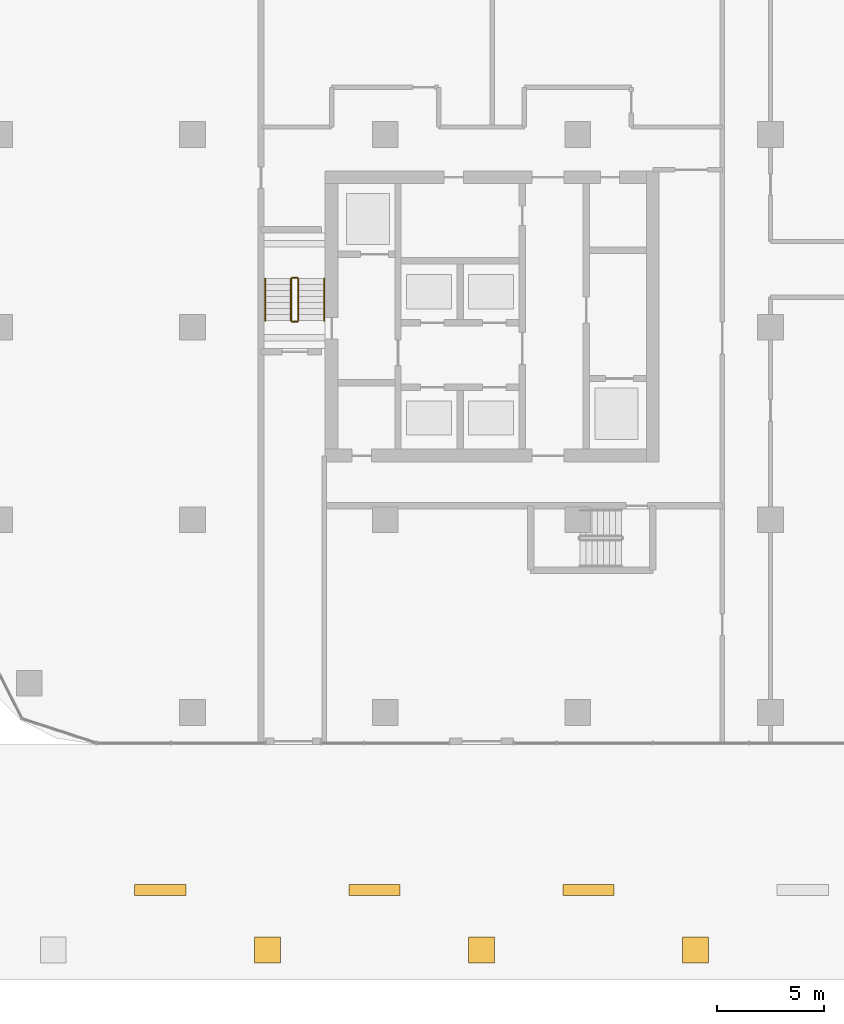
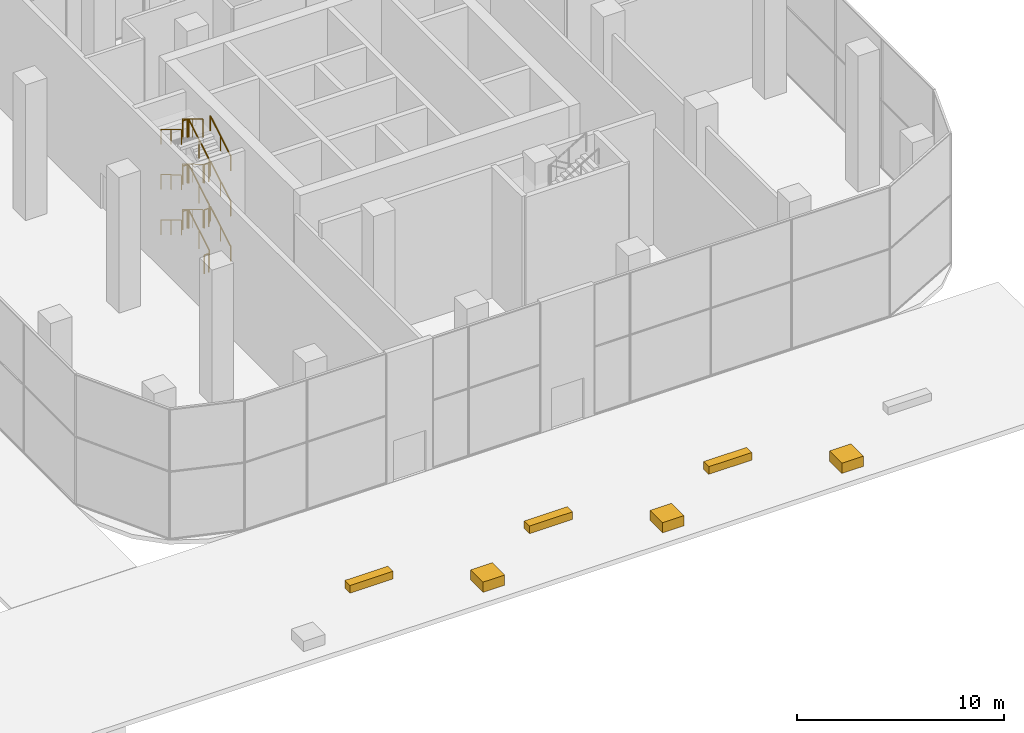
# One storey, part 49 of 54: 18 railings, 6 coverings.
"""IFC4 building model written with IfcOpenShell, lengths in metres."""

from ifc_helpers import new_model, si_unit, direction, frame, origin, origin_2d, place, context, subcontext, project, spatial, rectangle, circle, extrude, material, layer, layer_set, type_object, element, save


model = new_model("IFC4")

# Units and contexts
model_context = context("Model", 3, precision=1e-05, world=origin(), true_north=direction((0.0, 1.0)))
body_context = subcontext(model_context, "Body", "Model", "MODEL_VIEW")
ifc_project = project(units=[si_unit("LENGTHUNIT", "METRE"), si_unit("AREAUNIT", "SQUARE_METRE"), si_unit("VOLUMEUNIT", "CUBIC_METRE"), si_unit("PLANEANGLEUNIT", "RADIAN"), si_unit("MASSUNIT", "GRAM", prefix="KILO")], contexts=[model_context])

# Site, building, storey
site_placement = place(None, origin())
site = spatial("IfcSite", under=ifc_project, at=site_placement, CompositionType="ELEMENT")
building_placement = place(site_placement, origin())
building = spatial("IfcBuilding", under=site, at=building_placement, Name="Ogive Portal Towers", CompositionType="ELEMENT")
storey_placement = place(building_placement, origin())
storey = spatial("IfcBuildingStorey", under=building, at=storey_placement, Name="L00", CompositionType="ELEMENT", Elevation=0.0)

# Railings
ifc_material_1 = material(Name="Stainless steel balustrade", Category="steel")
railing_type_1 = type_object("IfcRailingType", Name="INT-GUARD", PredefinedType="GUARDRAIL", material=ifc_material_1)
railing_1_placement = place(storey_placement, frame((127.449951171875, 30.800048828125, 0.166748046875)))
element("IfcRailing", 1, at=railing_1_placement, inside=storey, type_object=railing_type_1, Name="L00 ST-B1 stair guard 1", PredefinedType="GUARDRAIL", context=body_context, shape_type="SweptSolid", body=[
    extrude(circle(Radius=0.02392578125, at=origin_2d()), frame((0.0, 0.0, 1.076171875), z_axis=(0.0, 0.85931976652, 0.511438695121), x_axis=(-1.0, 0.0, 0.0)), (0.0, 0.0, 1.0), 2.28076171875),
    extrude(circle(Radius=0.02099609375, at=origin_2d()), origin(), (0.0, 0.0, 1.0), 1.052001953125),
    extrude(circle(Radius=0.02099609375, at=origin_2d()), frame((0.0, 0.97998046875, 0.583251953125)), (0.0, 0.0, 1.0), 1.052001953125),
    extrude(circle(Radius=0.02099609375, at=origin_2d()), frame((0.0, 1.9599609375, 1.16650390625)), (0.0, 0.0, 1.0), 1.052001953125),
])
railing_2_placement = place(storey_placement, frame((127.39990234375, 32.81005859375, 1.333251953125)))
element("IfcRailing", 2, at=railing_2_placement, inside=storey, type_object=railing_type_1, Name="L00 ST-B1 stair guard 2", PredefinedType="GUARDRAIL", context=body_context, shape_type="SweptSolid", body=[
    extrude(circle(Radius=0.02392578125, at=origin_2d()), frame((0.0, 0.0, 1.076171875), z_axis=(-1.0, 0.0, 0.0), x_axis=(0.0, -1.0, 0.0)), (0.0, 0.0, 1.0), 0.25),
    extrude(circle(Radius=0.02099609375, at=origin_2d()), origin(), (0.0, 0.0, 1.0), 1.052001953125),
    extrude(circle(Radius=0.02099609375, at=origin_2d()), frame((-0.25, 0.0, 0.0)), (0.0, 0.0, 1.0), 1.052001953125),
])
railing_3_placement = place(storey_placement, frame((127.10009765625, 32.760009765625, 1.5)))
element("IfcRailing", 3, at=railing_3_placement, inside=storey, type_object=railing_type_1, Name="L00 ST-B1 stair guard 3", PredefinedType="GUARDRAIL", context=body_context, shape_type="SweptSolid", body=[
    extrude(circle(Radius=0.02392578125, at=origin_2d()), frame((0.0, 0.0, 1.076171875), z_axis=(0.0, -0.859272722373, 0.511517730471), x_axis=(1.0, 0.0, 0.0)), (0.0, 0.0, 1.0), 2.281005859375),
    extrude(circle(Radius=0.02099609375, at=origin_2d()), origin(), (0.0, 0.0, 1.0), 1.052001953125),
    extrude(circle(Radius=0.02099609375, at=origin_2d()), frame((0.0, -0.97998046875, 0.58349609375)), (0.0, 0.0, 1.0), 1.052001953125),
    extrude(circle(Radius=0.02099609375, at=origin_2d()), frame((0.0, -1.9599609375, 1.166748046875)), (0.0, 0.0, 1.0), 1.052001953125),
])
railing_4_placement = place(storey_placement, frame((127.39990234375, 30.75, 2.666748046875)))
element("IfcRailing", 4, at=railing_4_placement, inside=storey, type_object=railing_type_1, Name="L00 ST-B1 stair guard 4", PredefinedType="GUARDRAIL", context=body_context, shape_type="SweptSolid", body=[
    extrude(circle(Radius=0.02392578125, at=origin_2d()), frame((0.0, 0.0, 1.076171875), z_axis=(-1.0, 0.0, 0.0), x_axis=(0.0, -1.0, 0.0)), (0.0, 0.0, 1.0), 0.25),
    extrude(circle(Radius=0.02099609375, at=origin_2d()), origin(), (0.0, 0.0, 1.0), 1.052001953125),
    extrude(circle(Radius=0.02099609375, at=origin_2d()), frame((-0.25, 0.0, 0.0)), (0.0, 0.0, 1.0), 1.052001953125),
])
railing_5_placement = place(storey_placement, frame((127.449951171875, 30.800048828125, 2.833251953125)))
element("IfcRailing", 5, at=railing_5_placement, inside=storey, type_object=railing_type_1, Name="L00 ST-B1 stair guard 5", PredefinedType="GUARDRAIL", context=body_context, shape_type="SweptSolid", body=[
    extrude(circle(Radius=0.02392578125, at=origin_2d()), frame((0.0, 0.0, 1.076171875), z_axis=(0.0, 0.859272722373, 0.511517730471), x_axis=(-1.0, 0.0, 0.0)), (0.0, 0.0, 1.0), 2.281005859375),
    extrude(circle(Radius=0.02099609375, at=origin_2d()), origin(), (0.0, 0.0, 1.0), 1.052001953125),
    extrude(circle(Radius=0.02099609375, at=origin_2d()), frame((0.0, 0.97998046875, 0.58349609375)), (0.0, 0.0, 1.0), 1.052001953125),
    extrude(circle(Radius=0.02099609375, at=origin_2d()), frame((0.0, 1.9599609375, 1.166748046875)), (0.0, 0.0, 1.0), 1.052001953125),
])
railing_6_placement = place(storey_placement, frame((127.39990234375, 32.81005859375, 4.0)))
element("IfcRailing", 6, at=railing_6_placement, inside=storey, type_object=railing_type_1, Name="L00 ST-B1 stair guard 6", PredefinedType="GUARDRAIL", context=body_context, shape_type="SweptSolid", body=[
    extrude(circle(Radius=0.02392578125, at=origin_2d()), frame((0.0, 0.0, 1.076171875), z_axis=(-1.0, 0.0, 0.0), x_axis=(0.0, -1.0, 0.0)), (0.0, 0.0, 1.0), 0.25),
    extrude(circle(Radius=0.02099609375, at=origin_2d()), origin(), (0.0, 0.0, 1.0), 1.052001953125),
    extrude(circle(Radius=0.02099609375, at=origin_2d()), frame((-0.25, 0.0, 0.0)), (0.0, 0.0, 1.0), 1.052001953125),
])
railing_7_placement = place(storey_placement, frame((127.10009765625, 32.760009765625, 4.166748046875)))
element("IfcRailing", 7, at=railing_7_placement, inside=storey, type_object=railing_type_1, Name="L00 ST-B1 stair guard 7", PredefinedType="GUARDRAIL", context=body_context, shape_type="SweptSolid", body=[
    extrude(circle(Radius=0.02392578125, at=origin_2d()), frame((0.0, 0.0, 1.076171875), z_axis=(0.0, -0.85931976652, 0.511438695121), x_axis=(1.0, 0.0, 0.0)), (0.0, 0.0, 1.0), 2.28076171875),
    extrude(circle(Radius=0.02099609375, at=origin_2d()), origin(), (0.0, 0.0, 1.0), 1.052001953125),
    extrude(circle(Radius=0.02099609375, at=origin_2d()), frame((0.0, -0.97998046875, 0.583251953125)), (0.0, 0.0, 1.0), 1.052001953125),
    extrude(circle(Radius=0.02099609375, at=origin_2d()), frame((0.0, -1.9599609375, 1.16650390625)), (0.0, 0.0, 1.0), 1.052001953125),
])
railing_8_placement = place(storey_placement, frame((127.39990234375, 30.75, 5.333251953125)))
element("IfcRailing", 8, at=railing_8_placement, inside=storey, type_object=railing_type_1, Name="L00 ST-B1 stair guard 8", PredefinedType="GUARDRAIL", context=body_context, shape_type="SweptSolid", body=[
    extrude(circle(Radius=0.02392578125, at=origin_2d()), frame((0.0, 0.0, 1.076171875), z_axis=(-1.0, 0.0, 0.0), x_axis=(0.0, -1.0, 0.0)), (0.0, 0.0, 1.0), 0.25),
    extrude(circle(Radius=0.02099609375, at=origin_2d()), origin(), (0.0, 0.0, 1.0), 1.052001953125),
    extrude(circle(Radius=0.02099609375, at=origin_2d()), frame((-0.25, 0.0, 0.0)), (0.0, 0.0, 1.0), 1.052001953125),
])
railing_9_placement = place(storey_placement, frame((127.449951171875, 30.800048828125, 5.5)))
element("IfcRailing", 9, at=railing_9_placement, inside=storey, type_object=railing_type_1, Name="L00 ST-B1 stair guard 9", PredefinedType="GUARDRAIL", context=body_context, shape_type="SweptSolid", body=[
    extrude(circle(Radius=0.02392578125, at=origin_2d()), frame((0.0, 0.0, 1.076171875), z_axis=(0.0, 0.859272722373, 0.511517730471), x_axis=(-1.0, 0.0, 0.0)), (0.0, 0.0, 1.0), 2.281005859375),
    extrude(circle(Radius=0.02099609375, at=origin_2d()), origin(), (0.0, 0.0, 1.0), 1.052001953125),
    extrude(circle(Radius=0.02099609375, at=origin_2d()), frame((0.0, 0.97998046875, 0.58349609375)), (0.0, 0.0, 1.0), 1.052001953125),
    extrude(circle(Radius=0.02099609375, at=origin_2d()), frame((0.0, 1.9599609375, 1.166748046875)), (0.0, 0.0, 1.0), 1.052001953125),
])
railing_10_placement = place(storey_placement, frame((127.39990234375, 32.81005859375, 6.666748046875)))
element("IfcRailing", 10, at=railing_10_placement, inside=storey, type_object=railing_type_1, Name="L00 ST-B1 stair guard 10", PredefinedType="GUARDRAIL", context=body_context, shape_type="SweptSolid", body=[
    extrude(circle(Radius=0.02392578125, at=origin_2d()), frame((0.0, 0.0, 1.076171875), z_axis=(-1.0, 0.0, 0.0), x_axis=(0.0, -1.0, 0.0)), (0.0, 0.0, 1.0), 0.25),
    extrude(circle(Radius=0.02099609375, at=origin_2d()), origin(), (0.0, 0.0, 1.0), 1.052001953125),
    extrude(circle(Radius=0.02099609375, at=origin_2d()), frame((-0.25, 0.0, 0.0)), (0.0, 0.0, 1.0), 1.052001953125),
])
railing_11_placement = place(storey_placement, frame((127.10009765625, 32.760009765625, 6.833251953125)))
element("IfcRailing", 11, at=railing_11_placement, inside=storey, type_object=railing_type_1, Name="L00 ST-B1 stair guard 11", PredefinedType="GUARDRAIL", context=body_context, shape_type="SweptSolid", body=[
    extrude(circle(Radius=0.02392578125, at=origin_2d()), frame((0.0, 0.0, 1.076171875), z_axis=(0.0, -0.859272722373, 0.511517730471), x_axis=(1.0, 0.0, 0.0)), (0.0, 0.0, 1.0), 2.281005859375),
    extrude(circle(Radius=0.02099609375, at=origin_2d()), origin(), (0.0, 0.0, 1.0), 1.052001953125),
    extrude(circle(Radius=0.02099609375, at=origin_2d()), frame((0.0, -0.97998046875, 0.58349609375)), (0.0, 0.0, 1.0), 1.052001953125),
    extrude(circle(Radius=0.02099609375, at=origin_2d()), frame((0.0, -1.9599609375, 1.166748046875)), (0.0, 0.0, 1.0), 1.052001953125),
])
railing_12_placement = place(storey_placement, frame((127.39990234375, 30.75, 0.0)))
element("IfcRailing", 12, at=railing_12_placement, inside=storey, type_object=railing_type_1, Name="L00 ST-B1 stair guard 12", PredefinedType="GUARDRAIL", context=body_context, shape_type="SweptSolid", body=[
    extrude(circle(Radius=0.02392578125, at=origin_2d()), frame((0.0, 0.0, 1.076171875), z_axis=(-1.0, 0.0, 0.0), x_axis=(0.0, -1.0, 0.0)), (0.0, 0.0, 1.0), 0.25),
    extrude(circle(Radius=0.02099609375, at=origin_2d()), origin(), (0.0, 0.0, 1.0), 1.052001953125),
    extrude(circle(Radius=0.02099609375, at=origin_2d()), frame((-0.25, 0.0, 0.0)), (0.0, 0.0, 1.0), 1.052001953125),
])
ifc_material_2 = material(Name="Stainless steel handrail", Category="steel")
railing_type_2 = type_object("IfcRailingType", Name="INT-HANDRAIL", PredefinedType="HANDRAIL", material=ifc_material_2)
railing_13_placement = place(storey_placement, frame((128.64990234375, 30.800048828125, 0.166748046875)))
element("IfcRailing", 13, at=railing_13_placement, inside=storey, type_object=railing_type_2, Name="L00 ST-B1 stair handrail 1", PredefinedType="HANDRAIL", context=body_context, shape_type="SweptSolid", body=[
    extrude(circle(Radius=0.02392578125, at=origin_2d()), frame((0.0, 0.0, 0.8759765625), z_axis=(0.0, 0.85931976652, 0.511438695121), x_axis=(-1.0, 0.0, 0.0)), (0.0, 0.0, 1.0), 2.28076171875),
    extrude(circle(Radius=0.02099609375, at=origin_2d()), origin(), (0.0, 0.0, 1.0), 0.851806640625),
    extrude(circle(Radius=0.02099609375, at=origin_2d()), frame((0.0, 0.97998046875, 0.583251953125)), (0.0, 0.0, 1.0), 0.851806640625),
    extrude(circle(Radius=0.02099609375, at=origin_2d()), frame((0.0, 1.9599609375, 1.16650390625)), (0.0, 0.0, 1.0), 0.851806640625),
])
railing_14_placement = place(storey_placement, frame((125.89990234375, 32.760009765625, 1.5)))
element("IfcRailing", 14, at=railing_14_placement, inside=storey, type_object=railing_type_2, Name="L00 ST-B1 stair handrail 2", PredefinedType="HANDRAIL", context=body_context, shape_type="SweptSolid", body=[
    extrude(circle(Radius=0.02392578125, at=origin_2d()), frame((0.0, 0.0, 0.8759765625), z_axis=(0.0, -0.859272722373, 0.511517730471), x_axis=(1.0, 0.0, 0.0)), (0.0, 0.0, 1.0), 2.281005859375),
    extrude(circle(Radius=0.02099609375, at=origin_2d()), origin(), (0.0, 0.0, 1.0), 0.851806640625),
    extrude(circle(Radius=0.02099609375, at=origin_2d()), frame((0.0, -0.97998046875, 0.58349609375)), (0.0, 0.0, 1.0), 0.851806640625),
    extrude(circle(Radius=0.02099609375, at=origin_2d()), frame((0.0, -1.9599609375, 1.166748046875)), (0.0, 0.0, 1.0), 0.851806640625),
])
railing_15_placement = place(storey_placement, frame((128.64990234375, 30.800048828125, 2.833251953125)))
element("IfcRailing", 15, at=railing_15_placement, inside=storey, type_object=railing_type_2, Name="L00 ST-B1 stair handrail 3", PredefinedType="HANDRAIL", context=body_context, shape_type="SweptSolid", body=[
    extrude(circle(Radius=0.02392578125, at=origin_2d()), frame((0.0, 0.0, 0.8759765625), z_axis=(0.0, 0.859272722373, 0.511517730471), x_axis=(-1.0, 0.0, 0.0)), (0.0, 0.0, 1.0), 2.281005859375),
    extrude(circle(Radius=0.02099609375, at=origin_2d()), origin(), (0.0, 0.0, 1.0), 0.851806640625),
    extrude(circle(Radius=0.02099609375, at=origin_2d()), frame((0.0, 0.97998046875, 0.58349609375)), (0.0, 0.0, 1.0), 0.851806640625),
    extrude(circle(Radius=0.02099609375, at=origin_2d()), frame((0.0, 1.9599609375, 1.166748046875)), (0.0, 0.0, 1.0), 0.851806640625),
])
railing_16_placement = place(storey_placement, frame((125.89990234375, 32.760009765625, 4.166748046875)))
element("IfcRailing", 16, at=railing_16_placement, inside=storey, type_object=railing_type_2, Name="L00 ST-B1 stair handrail 4", PredefinedType="HANDRAIL", context=body_context, shape_type="SweptSolid", body=[
    extrude(circle(Radius=0.02392578125, at=origin_2d()), frame((0.0, 0.0, 0.8759765625), z_axis=(0.0, -0.85931976652, 0.511438695121), x_axis=(1.0, 0.0, 0.0)), (0.0, 0.0, 1.0), 2.28076171875),
    extrude(circle(Radius=0.02099609375, at=origin_2d()), origin(), (0.0, 0.0, 1.0), 0.851806640625),
    extrude(circle(Radius=0.02099609375, at=origin_2d()), frame((0.0, -0.97998046875, 0.583251953125)), (0.0, 0.0, 1.0), 0.851806640625),
    extrude(circle(Radius=0.02099609375, at=origin_2d()), frame((0.0, -1.9599609375, 1.16650390625)), (0.0, 0.0, 1.0), 0.851806640625),
])
railing_17_placement = place(storey_placement, frame((128.64990234375, 30.800048828125, 5.5)))
element("IfcRailing", 17, at=railing_17_placement, inside=storey, type_object=railing_type_2, Name="L00 ST-B1 stair handrail 5", PredefinedType="HANDRAIL", context=body_context, shape_type="SweptSolid", body=[
    extrude(circle(Radius=0.02392578125, at=origin_2d()), frame((0.0, 0.0, 0.8759765625), z_axis=(0.0, 0.859272722373, 0.511517730471), x_axis=(-1.0, 0.0, 0.0)), (0.0, 0.0, 1.0), 2.281005859375),
    extrude(circle(Radius=0.02099609375, at=origin_2d()), origin(), (0.0, 0.0, 1.0), 0.851806640625),
    extrude(circle(Radius=0.02099609375, at=origin_2d()), frame((0.0, 0.97998046875, 0.58349609375)), (0.0, 0.0, 1.0), 0.851806640625),
    extrude(circle(Radius=0.02099609375, at=origin_2d()), frame((0.0, 1.9599609375, 1.166748046875)), (0.0, 0.0, 1.0), 0.851806640625),
])
railing_18_placement = place(storey_placement, frame((125.89990234375, 32.760009765625, 6.833251953125)))
element("IfcRailing", 18, at=railing_18_placement, inside=storey, type_object=railing_type_2, Name="L00 ST-B1 stair handrail 6", PredefinedType="HANDRAIL", context=body_context, shape_type="SweptSolid", body=[
    extrude(circle(Radius=0.02392578125, at=origin_2d()), frame((0.0, 0.0, 0.8759765625), z_axis=(0.0, -0.859272722373, 0.511517730471), x_axis=(1.0, 0.0, 0.0)), (0.0, 0.0, 1.0), 2.281005859375),
    extrude(circle(Radius=0.02099609375, at=origin_2d()), origin(), (0.0, 0.0, 1.0), 0.851806640625),
    extrude(circle(Radius=0.02099609375, at=origin_2d()), frame((0.0, -0.97998046875, 0.58349609375)), (0.0, 0.0, 1.0), 0.851806640625),
    extrude(circle(Radius=0.02099609375, at=origin_2d()), frame((0.0, -1.9599609375, 1.166748046875)), (0.0, 0.0, 1.0), 0.851806640625),
])

# Coverings
ifc_material_3 = material(Name="Limestone cladding on lightweight block wall", Category="masonry")
ifc_layer_1 = layer(ifc_material_3, 0.449951171875)
ifc_layer_set_1 = layer_set([ifc_layer_1], Name="PLAZA BENCH STONE")
covering_type_1 = type_object("IfcCoveringType", Name="PLAZA BENCH STONE", PredefinedType="CLADDING", material=ifc_layer_set_1)
for number, where, z_axis, x_axis, name in (
    (19, (121.0, 4.199951171875, -0.02001953125), (0.0, 0.0, 1.0), (1.0, 0.0, 0.0), "PLAZA BENCH"),
    (20, (131.0, 4.199951171875, -0.02001953125), (0.0, 0.0, 1.0), (1.0, 0.0, 0.0), "PLAZA BENCH"),
    (21, (141.0, 4.199951171875, -0.02001953125), (0.0, 0.0, 1.0), (1.0, 0.0, 0.0), "PLAZA BENCH"),
):
    element("IfcCovering", number, at=place(storey_placement, frame(where, z_axis=z_axis, x_axis=x_axis)), inside=storey, type_object=covering_type_1, Name=name, PredefinedType="CLADDING", context=body_context, shape_type="SweptSolid", body=[
        extrude(rectangle(XDim=2.39990234375, YDim=0.5, at=origin_2d()), origin(), (0.0, 0.0, 1.0), 0.449951171875),
    ])
ifc_layer_2 = layer(ifc_material_3, 0.60009765625)
ifc_layer_set_2 = layer_set([ifc_layer_2], Name="PLAZA PLANTER STONE")
covering_type_2 = type_object("IfcCoveringType", Name="PLAZA PLANTER STONE", PredefinedType="CLADDING", material=ifc_layer_set_2)
for number, where, z_axis, x_axis, name in (
    (22, (126.0, 1.39990234375, -0.02001953125), (0.0, 0.0, 1.0), (1.0, 0.0, 0.0), "PLAZA PLANTER"),
    (23, (136.0, 1.39990234375, -0.02001953125), (0.0, 0.0, 1.0), (1.0, 0.0, 0.0), "PLAZA PLANTER"),
    (24, (146.0, 1.39990234375, -0.02001953125), (0.0, 0.0, 1.0), (1.0, 0.0, 0.0), "PLAZA PLANTER"),
):
    element("IfcCovering", number, at=place(storey_placement, frame(where, z_axis=z_axis, x_axis=x_axis)), inside=storey, type_object=covering_type_2, Name=name, PredefinedType="CLADDING", context=body_context, shape_type="SweptSolid", body=[
        extrude(rectangle(XDim=1.199951171875, YDim=1.199951171875, at=origin_2d()), origin(), (0.0, 0.0, 1.0), 0.60009765625),
    ])

save(model, "model.ifc")
